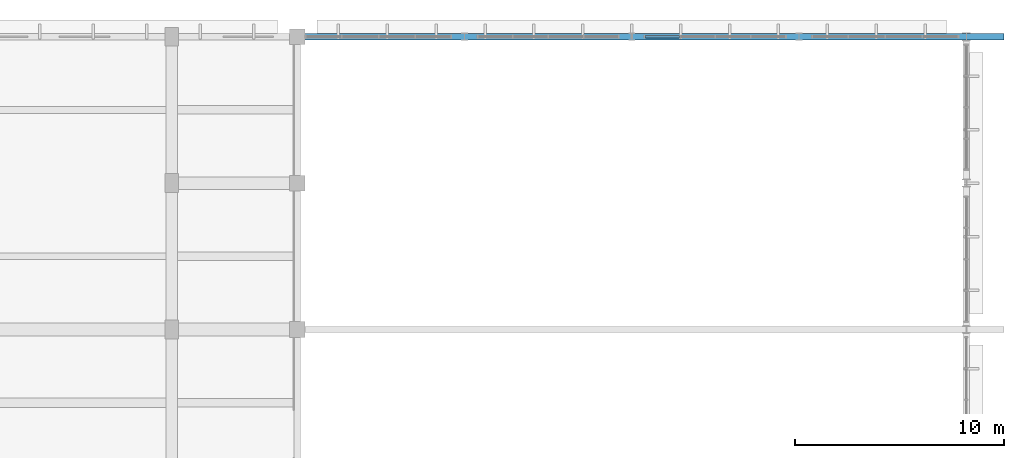
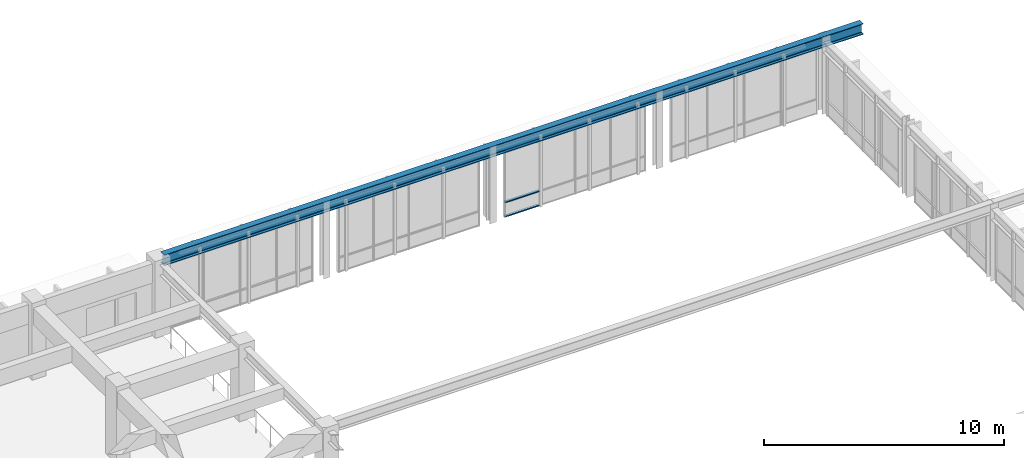
# One storey, part 44 of 98: 3 members, 1 beam, 1 element without a shape of its own.
"""IFC4 building model written with IfcOpenShell, lengths in metres."""

from ifc_helpers import new_model, si_unit, direction, frame, origin, origin_2d, place, context, subcontext, project, spatial, rectangle, i_section, extrude, material, material_profile, profile_set, type_object, element, aggregate, save


model = new_model("IFC4")

# Units and contexts
model_context = context("Model", 3, precision=1e-05, world=origin(), true_north=direction((0.0, 1.0)))
body_context = subcontext(model_context, "Body", "Model", "MODEL_VIEW")
ifc_project = project(units=[si_unit("LENGTHUNIT", "METRE"), si_unit("AREAUNIT", "SQUARE_METRE"), si_unit("VOLUMEUNIT", "CUBIC_METRE"), si_unit("PLANEANGLEUNIT", "RADIAN"), si_unit("MASSUNIT", "GRAM", prefix="KILO")], contexts=[model_context])

# Site, building, storey
site_placement = place(None, origin())
site = spatial("IfcSite", under=ifc_project, at=site_placement, CompositionType="ELEMENT")
building_placement = place(site_placement, origin())
building = spatial("IfcBuilding", under=site, at=building_placement, Name="Larkveld Mobility Hub", CompositionType="ELEMENT")
storey_placement = place(building_placement, frame((0.0, 0.0, 4.5)))
storey = spatial("IfcBuildingStorey", under=building, at=storey_placement, Name="L01", CompositionType="ELEMENT", Elevation=4.5)

# Beam
ifc_material_1 = material(Name="Steel S355JR", Category="steel")
ifc_material_profile_1 = material_profile(ifc_material_1, i_section(OverallWidth=0.300048828125, OverallDepth=0.550048828125, WebThickness=0.014892578125, FlangeThickness=0.029052734375, FilletRadius=0.027099609375, at=origin_2d()), Name="HEB 550")
ifc_profile_set_1 = profile_set([ifc_material_profile_1], Name="Steel S355JR")
beam_type = type_object("IfcBeamType", Name="BM-STHEB550", PredefinedType="BEAM", material=ifc_profile_set_1)
beam_placement = place(storey_placement, frame((152.18994140625, 126.0, 3.625), z_axis=(1.0, 0.0, 0.0), x_axis=(0.0, 1.0, 0.0)))
element("IfcBeam", 1, at=beam_placement, inside=storey, type_object=beam_type, Name="Sawtooth Valley Tie Girder T8 L01-1743", PredefinedType="BEAM", context=body_context, shape_type="SweptSolid", body=[
    extrude(i_section(OverallWidth=0.300048828125, OverallDepth=0.550048828125, WebThickness=0.014892578125, FlangeThickness=0.029052734375, FilletRadius=0.027099609375, at=origin_2d()), origin(), (0.0, 0.0, 1.0), 33.610107421875),
])

# Curtain wall, members
ifc_material_2 = material(Name="Anodised aluminium 6063-T6", Category="aluminium")
curtain_wall_type = type_object("IfcCurtainWallType", Name="CW-SYS-05", PredefinedType="NOTDEFINED", material=ifc_material_2)
curtain_wall_placement = place(storey_placement, origin())
curtain_wall = element("IfcCurtainWall", 2, at=curtain_wall_placement, inside=storey, type_object=curtain_wall_type, Name="North Ridgeway Upper Concourse Curtain Wall CW-065", PredefinedType="NOTDEFINED")
ifc_material_profile_2 = material_profile(ifc_material_2, rectangle(XDim=0.1201171875, YDim=0.050048828125, at=origin_2d()), Name="ALU TRAN 50x120")
ifc_profile_set_2 = profile_set([ifc_material_profile_2], Name="Anodised aluminium 6063-T6")
member_type = type_object("IfcMemberType", Name="CW-TRN-01", PredefinedType="USERDEFINED", material=ifc_profile_set_2)
member_1_placement = place(storey_placement, frame((170.284912109375, 126.0, 0.030029296875), z_axis=(-1.0, 0.0, 0.0), x_axis=(0.0, -1.0, 0.0)))
member_1 = element("IfcMember", 3, at=member_1_placement, type_object=member_type, Name="CW05 transom 4.1", ObjectType="TRANSOM", PredefinedType="USERDEFINED", context=body_context, shape_type="SweptSolid", body=[
    extrude(rectangle(XDim=0.1201171875, YDim=0.050048828125, at=origin_2d()), origin(), (0.0, 0.0, 1.0), 1.64990234375),
])
member_2_placement = place(storey_placement, frame((170.284912109375, 126.0, 0.75), z_axis=(-1.0, 0.0, 0.0), x_axis=(0.0, -1.0, 0.0)))
member_2 = element("IfcMember", 4, at=member_2_placement, type_object=member_type, Name="CW05 transom 4.2", ObjectType="TRANSOM", PredefinedType="USERDEFINED", context=body_context, shape_type="SweptSolid", body=[
    extrude(rectangle(XDim=0.1201171875, YDim=0.050048828125, at=origin_2d()), origin(), (0.0, 0.0, 1.0), 1.64990234375),
])
member_3_placement = place(storey_placement, frame((170.284912109375, 126.0, 3.318115234375), z_axis=(-1.0, 0.0, 0.0), x_axis=(0.0, -1.0, 0.0)))
member_3 = element("IfcMember", 5, at=member_3_placement, type_object=member_type, Name="CW05 transom 4.3", ObjectType="TRANSOM", PredefinedType="USERDEFINED", context=body_context, shape_type="SweptSolid", body=[
    extrude(rectangle(XDim=0.1201171875, YDim=0.050048828125, at=origin_2d()), origin(), (0.0, 0.0, 1.0), 1.64990234375),
])
aggregate(curtain_wall, [member_1, member_2, member_3])

save(model, "model.ifc")
